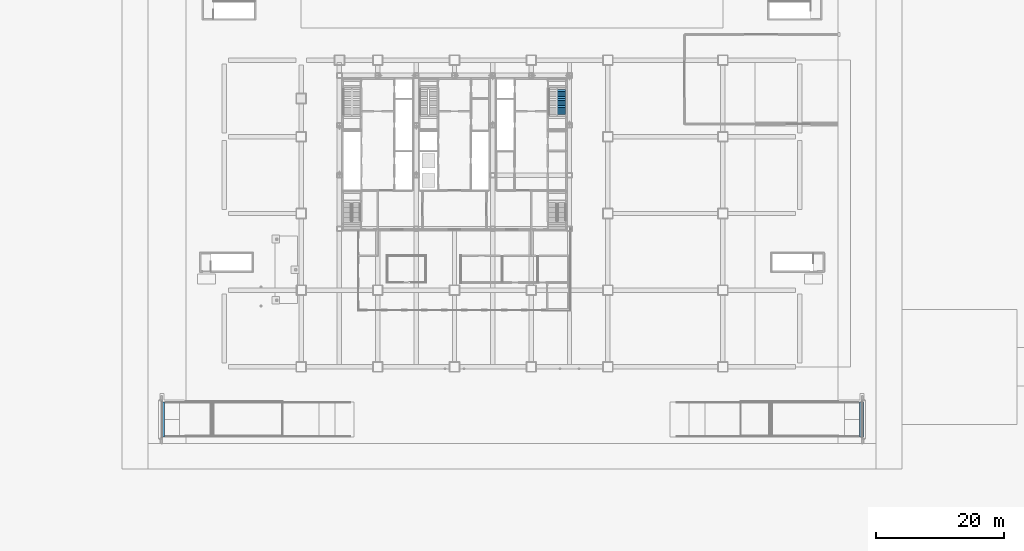
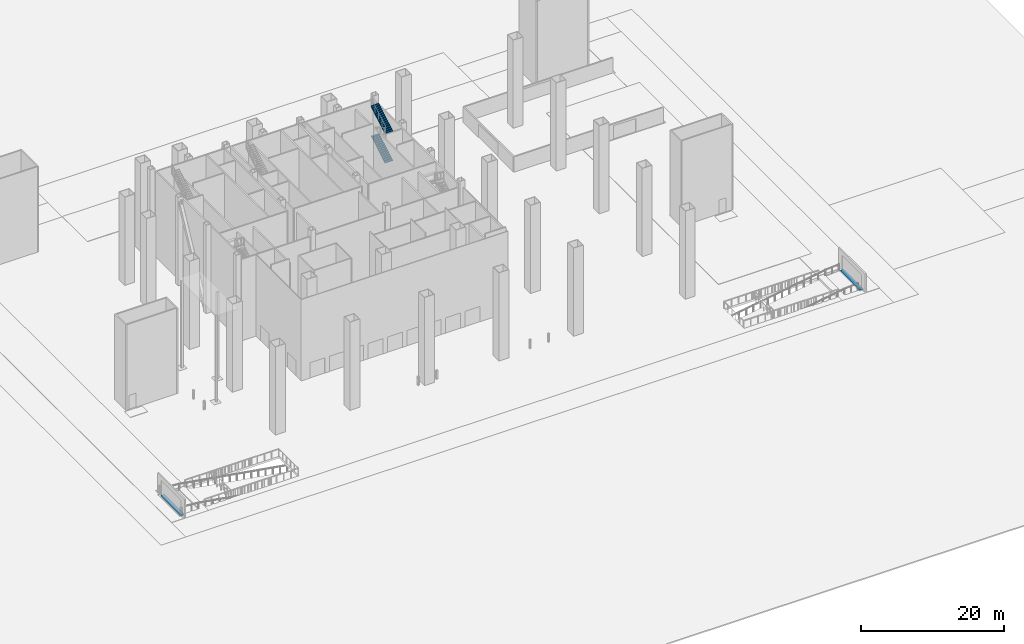
# One storey, part 12 of 22: 2 ramp flights, 2 stair flights, 3 elements without a shape of their own.
"""IFC4 building model written with IfcOpenShell, lengths in metres."""

from ifc_helpers import new_model, si_unit, direction, frame, origin, place, context, subcontext, project, spatial, polyline, outline, extrude, material, layer, layer_set, type_object, element, aggregate, save


model = new_model("IFC4")

# Units and contexts
model_context = context("Model", 3, precision=1e-05, world=origin(), true_north=direction((0.0, 1.0)))
body_context = subcontext(model_context, "Body", "Model", "MODEL_VIEW")
ifc_project = project(units=[si_unit("LENGTHUNIT", "METRE"), si_unit("AREAUNIT", "SQUARE_METRE"), si_unit("VOLUMEUNIT", "CUBIC_METRE"), si_unit("PLANEANGLEUNIT", "RADIAN"), si_unit("MASSUNIT", "GRAM", prefix="KILO")], contexts=[model_context])

# Site, building, storey
site_placement = place(None, origin())
site = spatial("IfcSite", under=ifc_project, at=site_placement, CompositionType="ELEMENT")
building_placement = place(site_placement, origin())
building = spatial("IfcBuilding", under=site, at=building_placement, Name="Sorahane Residences", CompositionType="ELEMENT")
storey_placement = place(building_placement, origin())
storey = spatial("IfcBuildingStorey", under=building, at=storey_placement, Name="L00", CompositionType="ELEMENT", Elevation=0.0)

# Stair, stair flights
ifc_material_1 = material(Name="Concrete C40", Category="concrete")
stair_type = type_object("IfcStairType", Name="Dog-leg stair 1250 Concrete C40", PredefinedType="HALF_TURN_STAIR", material=ifc_material_1)
stair_placement = place(storey_placement, origin())
stair = element("IfcStair", 1, at=stair_placement, inside=storey, type_object=stair_type, Name="L00 Stair S2", PredefinedType="HALF_TURN_STAIR")
ifc_material_2 = material(Name="Concrete C40", Category="concrete")
stair_flight_type = type_object("IfcStairFlightType", Name="Stair flight 1250 Concrete C40", PredefinedType="STRAIGHT", material=ifc_material_2)
stair_flight_1_placement = place(storey_placement, frame((40.77490234375, 39.47998046875, 7.5), z_axis=(0.0, 0.0, 1.0), x_axis=(0.0, 1.0, 0.0)))
stair_flight_1 = element("IfcStairFlight", 2, at=stair_flight_1_placement, type_object=stair_flight_type, Name="S2 flight 4", NumberOfRisers=15, NumberOfTreads=14, PredefinedType="STRAIGHT", RiserHeight=0.166666667, TreadLength=0.28, context=body_context, shape_type="SweptSolid", body=[
    extrude(outline(polyline([(0.0, 0.0), (0.0, 0.166748046875), (0.280029296875, 0.166748046875), (0.280029296875, 0.333251953125), (0.56005859375, 0.333251953125), (0.56005859375, 0.5), (0.840087890625, 0.5), (0.840087890625, 0.666748046875), (1.1201171875, 0.666748046875), (1.1201171875, 0.833251953125), (1.39990234375, 0.833251953125), (1.39990234375, 1.0), (1.679931640625, 1.0), (1.679931640625, 1.166748046875), (1.9599609375, 1.166748046875), (1.9599609375, 1.333251953125), (2.239990234375, 1.333251953125), (2.239990234375, 1.5), (2.52001953125, 1.5), (2.52001953125, 1.666748046875), (2.800048828125, 1.666748046875), (2.800048828125, 1.833251953125), (3.080078125, 1.833251953125), (3.080078125, 2.0), (3.360107421875, 2.0), (3.360107421875, 2.166748046875), (3.639892578125, 2.166748046875), (3.639892578125, 2.333251953125), (3.919921875, 2.333251953125), (3.919921875, 2.5), (3.919921875, 2.158935546875), (3.67822265625, 2.014892578125), (3.4365234375, 1.87109375), (3.194580078125, 1.72705078125), (2.952880859375, 1.583251953125), (2.7109375, 1.439208984375), (2.46923828125, 1.29541015625), (2.2275390625, 1.1513671875), (1.985595703125, 1.007568359375), (1.743896484375, 0.863525390625), (1.501953125, 0.7197265625), (1.26025390625, 0.57568359375), (1.0185546875, 0.431884765625), (0.776611328125, 0.287841796875), (0.534912109375, 0.14404296875), (0.29296875, 0.0), (0.0, 0.0)])), frame((0.0, 0.625, 0.0), z_axis=(0.0, -1.0, 0.0), x_axis=(1.0, 0.0, 0.0)), (0.0, 0.0, 1.0), 1.25),
])
stair_flight_2_placement = place(storey_placement, frame((40.77490234375, 39.47998046875, 12.5), z_axis=(0.0, 0.0, 1.0), x_axis=(0.0, 1.0, 0.0)))
stair_flight_2 = element("IfcStairFlight", 3, at=stair_flight_2_placement, type_object=stair_flight_type, Name="S2 flight 6", NumberOfRisers=15, NumberOfTreads=14, PredefinedType="STRAIGHT", RiserHeight=0.166666667, TreadLength=0.28, context=body_context, shape_type="SweptSolid", body=[
    extrude(outline(polyline([(0.0, 0.0), (0.0, 0.166748046875), (0.280029296875, 0.166748046875), (0.280029296875, 0.333251953125), (0.56005859375, 0.333251953125), (0.56005859375, 0.5), (0.840087890625, 0.5), (0.840087890625, 0.666748046875), (1.1201171875, 0.666748046875), (1.1201171875, 0.833251953125), (1.39990234375, 0.833251953125), (1.39990234375, 1.0), (1.679931640625, 1.0), (1.679931640625, 1.166748046875), (1.9599609375, 1.166748046875), (1.9599609375, 1.333251953125), (2.239990234375, 1.333251953125), (2.239990234375, 1.5), (2.52001953125, 1.5), (2.52001953125, 1.666748046875), (2.800048828125, 1.666748046875), (2.800048828125, 1.833251953125), (3.080078125, 1.833251953125), (3.080078125, 2.0), (3.360107421875, 2.0), (3.360107421875, 2.166748046875), (3.639892578125, 2.166748046875), (3.639892578125, 2.333251953125), (3.919921875, 2.333251953125), (3.919921875, 2.5), (3.92138671875, 2.5), (3.92138671875, 2.158935546875), (3.69482421875, 2.02392578125), (3.468017578125, 1.888916015625), (3.2412109375, 1.754150390625), (3.014404296875, 1.619140625), (2.78759765625, 1.484130859375), (2.560791015625, 1.349365234375), (2.333984375, 1.21435546875), (2.107177734375, 1.079345703125), (1.880615234375, 0.944580078125), (1.65380859375, 0.8095703125), (1.427001953125, 0.674560546875), (1.2001953125, 0.539794921875), (0.973388671875, 0.40478515625), (0.74658203125, 0.269775390625), (0.519775390625, 0.135009765625), (0.29296875, 0.0), (0.0, 0.0)])), frame((0.0, 0.625, 0.0), z_axis=(0.0, -1.0, 0.0), x_axis=(1.0, 0.0, 0.0)), (0.0, 0.0, 1.0), 1.25),
])
aggregate(stair, [stair_flight_1, stair_flight_2])

# Ramp, ramp flight
ifc_material_3 = material(Name="Concrete C40", Category="concrete")
ifc_layer_1 = layer(ifc_material_3, 0.300048828125)
ifc_layer_set_1 = layer_set([ifc_layer_1], Name="Vehicle ramp 300 Concrete C40")
ramp_type = type_object("IfcRampType", Name="Vehicle ramp 300 Concrete C40", PredefinedType="STRAIGHT_RUN_RAMP", material=ifc_layer_set_1)
ramp_1_placement = place(storey_placement, origin())
ramp_1 = element("IfcRamp", 4, at=ramp_1_placement, inside=storey, type_object=ramp_type, Name="Vehicle ramp W L00 to B1", PredefinedType="STRAIGHT_RUN_RAMP")
ifc_material_4 = material(Name="Concrete C40", Category="concrete")
ifc_layer_2 = layer(ifc_material_4, 0.25)
ifc_layer_set_2 = layer_set([ifc_layer_2], Name="Vehicle ramp apron 250 Concrete C40")
ramp_flight_type = type_object("IfcRampFlightType", Name="Vehicle ramp apron 250 Concrete C40", PredefinedType="STRAIGHT", material=ifc_layer_set_2)
ramp_flight_1_placement = place(storey_placement, frame((-22.0, -11.0, 0.0), z_axis=(0.0, 0.0, 1.0), x_axis=(1.0, 0.0, 0.0)))
ramp_flight_1 = element("IfcRampFlight", 5, at=ramp_flight_1_placement, type_object=ramp_flight_type, Name="Ramp apron W L00", PredefinedType="STRAIGHT", context=body_context, shape_type="SweptSolid", body=[
    extrude(outline(polyline([(0.0, 0.0), (0.60009765625, 0.0), (0.60009765625, 5.5), (0.0, 5.5), (0.0, 0.0)])), origin(), (0.0, 0.0, -1.0), 0.25),
])
aggregate(ramp_1, [ramp_flight_1])

ramp_2_placement = place(storey_placement, origin())
ramp_2 = element("IfcRamp", 6, at=ramp_2_placement, inside=storey, type_object=ramp_type, Name="Vehicle ramp E L00 to B1", PredefinedType="STRAIGHT_RUN_RAMP")
ramp_flight_2_placement = place(storey_placement, frame((88.0, -11.0, 0.0), z_axis=(0.0, 0.0, 1.0), x_axis=(-1.0, 0.0, 0.0)))
ramp_flight_2 = element("IfcRampFlight", 7, at=ramp_flight_2_placement, type_object=ramp_flight_type, Name="Ramp apron E L00", PredefinedType="STRAIGHT", context=body_context, shape_type="SweptSolid", body=[
    extrude(outline(polyline([(0.0, 0.0), (0.60009765625, 0.0), (0.60009765625, -5.5), (0.0, -5.5), (0.0, 0.0)])), origin(), (0.0, 0.0, -1.0), 0.25),
])
aggregate(ramp_2, [ramp_flight_2])

save(model, "model.ifc")
